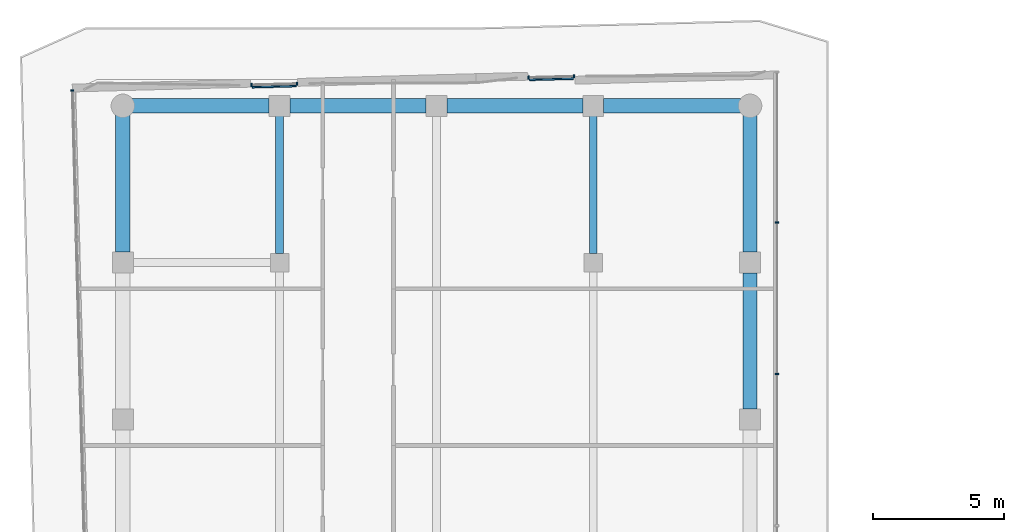
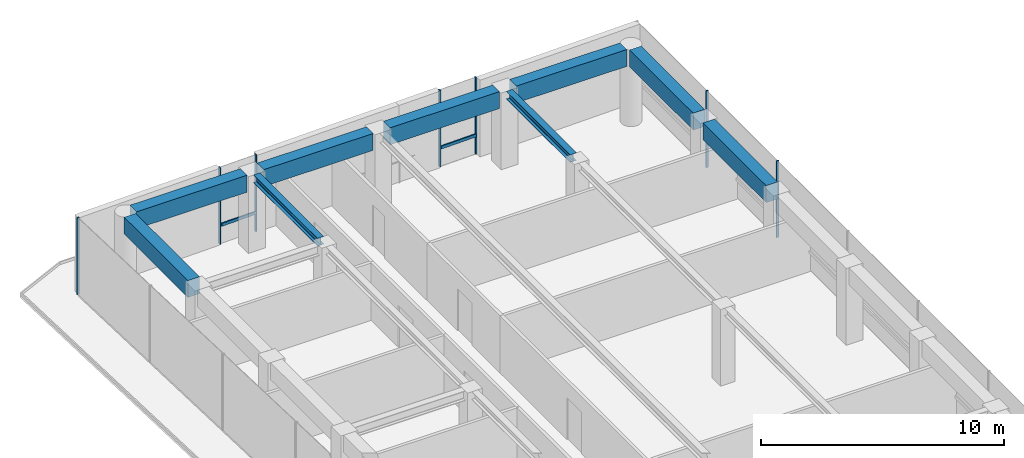
# One storey, part 13 of 20: 9 beams, 9 members, 4 elements without a shape of their own.
"""IFC4 building model written with IfcOpenShell, lengths in metres."""

from ifc_helpers import new_model, si_unit, direction, frame, origin, origin_2d, place, context, subcontext, project, spatial, rectangle, i_section, extrude, material, layer, layer_set, material_profile, profile_set, type_object, element, aggregate, save


model = new_model("IFC4")

# Units and contexts
model_context = context("Model", 3, precision=1e-05, world=origin(), true_north=direction((0.0, 1.0)))
body_context = subcontext(model_context, "Body", "Model", "MODEL_VIEW")
ifc_project = project(units=[si_unit("LENGTHUNIT", "METRE"), si_unit("AREAUNIT", "SQUARE_METRE"), si_unit("VOLUMEUNIT", "CUBIC_METRE"), si_unit("PLANEANGLEUNIT", "RADIAN"), si_unit("MASSUNIT", "GRAM", prefix="KILO")], contexts=[model_context])

# Site, building, storey
site_placement = place(None, origin())
site = spatial("IfcSite", under=ifc_project, at=site_placement, CompositionType="ELEMENT")
building_placement = place(site_placement, origin())
building = spatial("IfcBuilding", under=site, at=building_placement, Name="Welwitschia Terrace Campus", CompositionType="ELEMENT")
storey_placement = place(building_placement, frame((0.0, 0.0, 222.199951171875)))
storey = spatial("IfcBuildingStorey", under=building, at=storey_placement, Name="L49", CompositionType="ELEMENT", Elevation=222.199951171875)

# Beams
ifc_material_1 = material(Name="Steel S355", Category="steel")
ifc_material_profile_1 = material_profile(ifc_material_1, i_section(OverallWidth=0.300048828125, OverallDepth=0.389892578125, WebThickness=0.010986328125, FlangeThickness=0.01904296875, FilletRadius=0.027099609375, at=origin_2d()))
ifc_profile_set_1 = profile_set([ifc_material_profile_1], Name="Steel S355")
beam_type_1 = type_object("IfcBeamType", Name="Interior girder HE 400 A", PredefinedType="BEAM", material=ifc_profile_set_1)
for number, where, z_axis, x_axis, name in (
    (1, (6.0, 64.3505859375, 3.655029296875), (0.0, 1.0, 0.0), (-1.0, 0.0, 0.0), "Girder GB5"),
    (2, (18.0, 64.3505859375, 3.655029296875), (0.0, 1.0, 0.0), (-1.0, 0.0, 0.0), "Girder GB5"),
):
    element("IfcBeam", number, at=place(storey_placement, frame(where, z_axis=z_axis, x_axis=x_axis)), inside=storey, type_object=beam_type_1, Name=name, PredefinedType="BEAM", context=body_context, shape_type="SweptSolid", body=[
        extrude(i_section(OverallWidth=0.300048828125, OverallDepth=0.389892578125, WebThickness=0.010986328125, FlangeThickness=0.01904296875, FilletRadius=0.027099609375, at=origin_2d()), origin(), (0.0, 0.0, 1.0), 5.259033203125),
    ])

# Curtain wall, members
ifc_material_2 = material(Name="Bronze anodised aluminium", Category="aluminium")
ifc_layer = layer(ifc_material_2, 0.1201171875)
ifc_layer_set = layer_set([ifc_layer], Name="Bronze anodised aluminium")
curtain_wall_type = type_object("IfcCurtainWallType", Name="Curtain wall CW2 tower 6000", PredefinedType="NOTDEFINED", material=ifc_layer_set)
curtain_wall_1_placement = place(storey_placement, origin())
curtain_wall_1 = element("IfcCurtainWall", 3, at=curtain_wall_1_placement, inside=storey, type_object=curtain_wall_type, Name="CW L49.8.0", PredefinedType="NOTDEFINED")
ifc_material_3 = material(Name="Bronze anodised aluminium", Category="aluminium")
ifc_material_profile_2 = material_profile(ifc_material_3, rectangle(XDim=0.1201171875, YDim=0.06005859375, at=origin_2d()))
ifc_profile_set_2 = profile_set([ifc_material_profile_2], Name="Bronze anodised aluminium")
member_type_1 = type_object("IfcMemberType", Name="Mullion 60x120", PredefinedType="MULLION", material=ifc_profile_set_2)
member_1_placement = place(storey_placement, frame((25.030029296875, 59.73193359375, 0.0), z_axis=(0.0, 0.0, 1.0), x_axis=(-1.0, 0.0, 0.0)))
member_1 = element("IfcMember", 4, at=member_1_placement, type_object=member_type_1, Name="Mullion L49.8.0.4", PredefinedType="MULLION", context=body_context, shape_type="SweptSolid", body=[
    extrude(rectangle(XDim=0.1201171875, YDim=0.06005859375, at=origin_2d()), origin(), (0.0, 0.0, 1.0), 3.85009765625),
])
member_2_placement = place(storey_placement, frame((25.030029296875, 65.53173828125, 0.0), z_axis=(0.0, 0.0, 1.0), x_axis=(-1.0, 0.0, 0.0)))
member_2 = element("IfcMember", 5, at=member_2_placement, type_object=member_type_1, Name="Mullion L49.8.0.5", PredefinedType="MULLION", context=body_context, shape_type="SweptSolid", body=[
    extrude(rectangle(XDim=0.1201171875, YDim=0.06005859375, at=origin_2d()), origin(), (0.0, 0.0, 1.0), 3.85009765625),
])
aggregate(curtain_wall_1, [member_1, member_2])

curtain_wall_2_placement = place(storey_placement, origin())
curtain_wall_2 = element("IfcCurtainWall", 6, at=curtain_wall_2_placement, inside=storey, type_object=curtain_wall_type, Name="CW L49.9.S0", PredefinedType="NOTDEFINED")
member_3_placement = place(storey_placement, frame((17.266845703125, 71.128173828125, 0.0), z_axis=(0.0, 0.0, 1.0), x_axis=(0.026176948308, -0.999657324976, 0.0)))
member_3 = element("IfcMember", 7, at=member_3_placement, type_object=member_type_1, Name="Mullion L49.9.S0.0", PredefinedType="MULLION", context=body_context, shape_type="SweptSolid", body=[
    extrude(rectangle(XDim=0.1201171875, YDim=0.06005859375, at=origin_2d()), origin(), (0.0, 0.0, 1.0), 3.85009765625),
])
member_4_placement = place(storey_placement, frame((15.52734375, 71.08251953125, 0.0), z_axis=(0.0, 0.0, 1.0), x_axis=(0.026176948308, -0.999657324976, 0.0)))
member_4 = element("IfcMember", 8, at=member_4_placement, type_object=member_type_1, Name="Mullion L49.9.S0.1", PredefinedType="MULLION", context=body_context, shape_type="SweptSolid", body=[
    extrude(rectangle(XDim=0.1201171875, YDim=0.06005859375, at=origin_2d()), origin(), (0.0, 0.0, 1.0), 3.85009765625),
])

curtain_wall_3_placement = place(storey_placement, origin())
curtain_wall_3 = element("IfcCurtainWall", 9, at=curtain_wall_3_placement, inside=storey, type_object=curtain_wall_type, Name="CW L49.10.S0", PredefinedType="NOTDEFINED")
member_5_placement = place(storey_placement, frame((6.663818359375, 70.845947265625, 0.0), z_axis=(0.0, 0.0, 1.0), x_axis=(0.026824268136, -0.999640164579, 0.0)))
member_5 = element("IfcMember", 10, at=member_5_placement, type_object=member_type_1, Name="Mullion L49.10.S0.0", PredefinedType="MULLION", context=body_context, shape_type="SweptSolid", body=[
    extrude(rectangle(XDim=0.1201171875, YDim=0.06005859375, at=origin_2d()), origin(), (0.0, 0.0, 1.0), 3.85009765625),
])
member_6_placement = place(storey_placement, frame((4.92431640625, 70.79931640625, 0.0), z_axis=(0.0, 0.0, 1.0), x_axis=(0.026824268136, -0.999640164579, 0.0)))
member_6 = element("IfcMember", 11, at=member_6_placement, type_object=member_type_1, Name="Mullion L49.10.S0.1", PredefinedType="MULLION", context=body_context, shape_type="SweptSolid", body=[
    extrude(rectangle(XDim=0.1201171875, YDim=0.06005859375, at=origin_2d()), origin(), (0.0, 0.0, 1.0), 3.85009765625),
])

# Curtain wall, member
curtain_wall_4_placement = place(storey_placement, origin())
curtain_wall_4 = element("IfcCurtainWall", 12, at=curtain_wall_4_placement, inside=storey, type_object=curtain_wall_type, Name="CW L49.11.0", PredefinedType="NOTDEFINED")
member_7_placement = place(storey_placement, frame((-1.9306640625, 70.58544921875, 0.0), z_axis=(0.0, 0.0, 1.0), x_axis=(0.999657324976, 0.026176948308, 0.0)))
member_7 = element("IfcMember", 13, at=member_7_placement, type_object=member_type_1, Name="Mullion L49.11.0.0", PredefinedType="MULLION", context=body_context, shape_type="SweptSolid", body=[
    extrude(rectangle(XDim=0.1201171875, YDim=0.06005859375, at=origin_2d()), origin(), (0.0, 0.0, 1.0), 3.85009765625),
])
aggregate(curtain_wall_4, [member_7])

# Beams
ifc_material_4 = material(Name="Concrete C50/60", Category="concrete")
ifc_material_profile_3 = material_profile(ifc_material_4, rectangle(XDim=0.550048828125, YDim=0.85009765625, at=origin_2d()))
ifc_profile_set_3 = profile_set([ifc_material_profile_3], Name="Concrete C50/60")
beam_type_2 = type_object("IfcBeamType", Name="Ring spandrel 550x850", PredefinedType="SPANDREL", material=ifc_profile_set_3)
beam_placement = place(storey_placement, frame((24.0, 58.400390625, 3.425048828125), z_axis=(0.0, 1.0, 0.0), x_axis=(-1.0, 0.0, 0.0)))
element("IfcBeam", 14, at=beam_placement, inside=storey, type_object=beam_type_2, Name="Spandrel SP3", PredefinedType="SPANDREL", context=body_context, shape_type="SweptSolid", body=[
    extrude(rectangle(XDim=0.550048828125, YDim=0.85009765625, at=origin_2d()), origin(), (0.0, 0.0, 1.0), 5.19921875),
])
for number, where, z_axis, x_axis, name in (
    (15, (24.0, 64.400390625, 3.425048828125), (0.0, 1.0, 0.0), (-1.0, 0.0, 0.0), "Spandrel SP3"),
    (16, (23.64306640625, 70.0, 3.425048828125), (-1.0, 0.0, 0.0), (0.0, -1.0, 0.0), "Spandrel SP3"),
):
    element("IfcBeam", number, at=place(storey_placement, frame(where, z_axis=z_axis, x_axis=x_axis)), inside=storey, type_object=beam_type_2, Name=name, PredefinedType="SPANDREL", context=body_context, shape_type="SweptSolid", body=[
        extrude(rectangle(XDim=0.550048828125, YDim=0.85009765625, at=origin_2d()), origin(), (0.0, 0.0, 1.0), 5.24267578125),
    ])
for number, where, z_axis, x_axis, name in (
    (17, (17.599609375, 70.0, 3.425048828125), (-1.0, 0.0, 0.0), (0.0, -1.0, 0.0), "Spandrel SP3"),
    (18, (11.599609375, 70.0, 3.425048828125), (-1.0, 0.0, 0.0), (0.0, -1.0, 0.0), "Spandrel SP3"),
):
    element("IfcBeam", number, at=place(storey_placement, frame(where, z_axis=z_axis, x_axis=x_axis)), inside=storey, type_object=beam_type_2, Name=name, PredefinedType="SPANDREL", context=body_context, shape_type="SweptSolid", body=[
        extrude(rectangle(XDim=0.550048828125, YDim=0.85009765625, at=origin_2d()), origin(), (0.0, 0.0, 1.0), 5.19921875),
    ])
for number, where, z_axis, x_axis, name in (
    (19, (5.599609375, 70.0, 3.425048828125), (-1.0, 0.0, 0.0), (0.0, -1.0, 0.0), "Spandrel SP3"),
    (20, (0.0, 69.64306640625, 3.425048828125), (0.0, -1.0, 0.0), (1.0, 0.0, 0.0), "Spandrel SP3"),
):
    element("IfcBeam", number, at=place(storey_placement, frame(where, z_axis=z_axis, x_axis=x_axis)), inside=storey, type_object=beam_type_2, Name=name, PredefinedType="SPANDREL", context=body_context, shape_type="SweptSolid", body=[
        extrude(rectangle(XDim=0.550048828125, YDim=0.85009765625, at=origin_2d()), origin(), (0.0, 0.0, 1.0), 5.24267578125),
    ])

# Member
ifc_material_5 = material(Name="Bronze anodised aluminium", Category="aluminium")
ifc_material_profile_4 = material_profile(ifc_material_5, rectangle(XDim=0.06005859375, YDim=0.14990234375, at=origin_2d()))
ifc_profile_set_4 = profile_set([ifc_material_profile_4], Name="Bronze anodised aluminium")
member_type_2 = type_object("IfcMemberType", Name="Transom 60x150", PredefinedType="USERDEFINED", material=ifc_profile_set_4)
member_8_placement = place(storey_placement, frame((17.2392578125, 71.037353515625, 1.0), z_axis=(-0.99965783038, -0.026157640568, 0.0), x_axis=(0.026157640568, -0.99965783038, 0.0)))
member_8 = element("IfcMember", 21, at=member_8_placement, type_object=member_type_2, Name="Transom L49.9.S0", ObjectType="TRANSOM", PredefinedType="USERDEFINED", context=body_context, shape_type="SweptSolid", body=[
    extrude(rectangle(XDim=0.06005859375, YDim=0.14990234375, at=origin_2d()), origin(), (0.0, 0.0, 1.0), 1.679931640625),
])

aggregate(curtain_wall_2, [member_3, member_4, member_8])

member_9_placement = place(storey_placement, frame((6.63623046875, 70.75537109375, 1.0), z_axis=(-0.999638567385, -0.026883723647, 0.0), x_axis=(0.026883723647, -0.999638567385, 0.0)))
member_9 = element("IfcMember", 22, at=member_9_placement, type_object=member_type_2, Name="Transom L49.10.S0", ObjectType="TRANSOM", PredefinedType="USERDEFINED", context=body_context, shape_type="SweptSolid", body=[
    extrude(rectangle(XDim=0.06005859375, YDim=0.14990234375, at=origin_2d()), origin(), (0.0, 0.0, 1.0), 1.679931640625),
])

aggregate(curtain_wall_3, [member_5, member_6, member_9])

save(model, "model.ifc")
